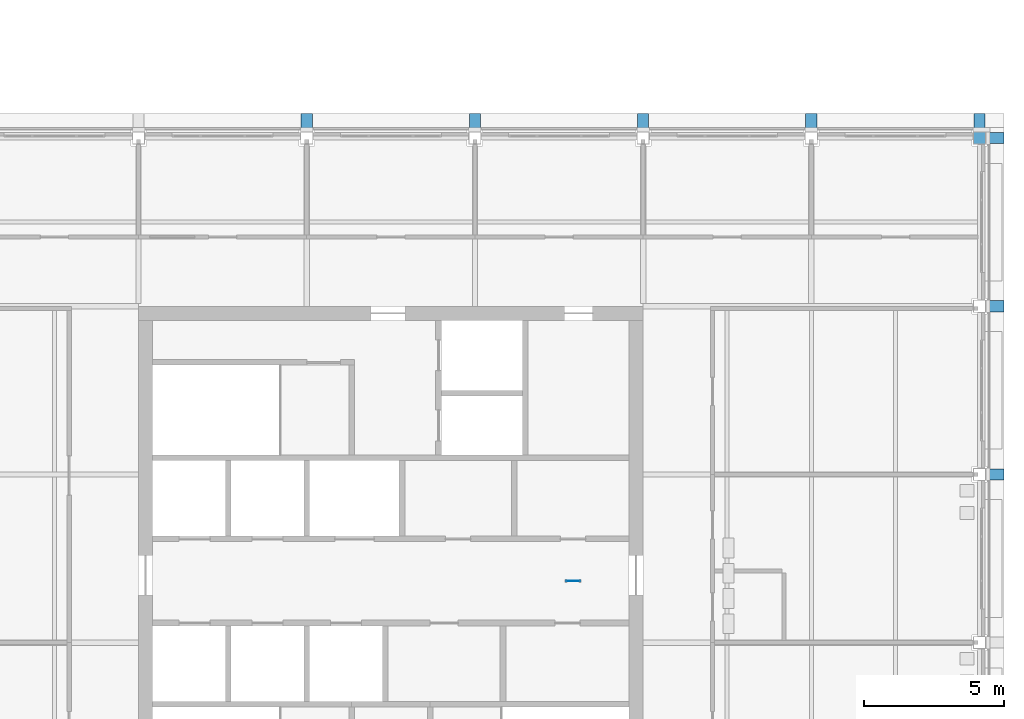
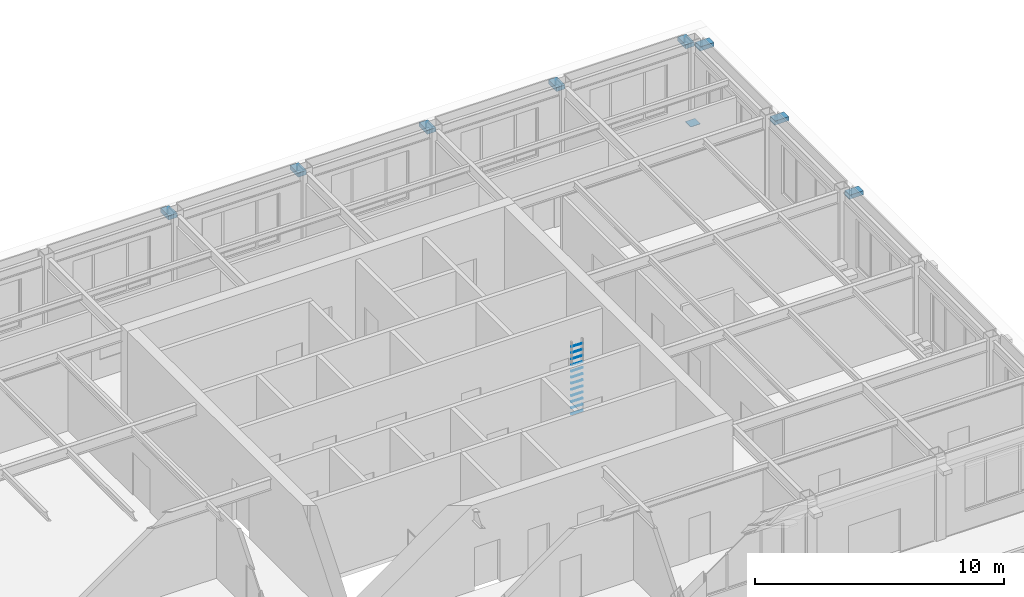
# One storey, part 77 of 82: 21 discrete accessories.
"""IFC4 building model written with IfcOpenShell, lengths in metres."""

import ifcopenshell
import ifcopenshell.guid

model = None  # the IFC model being written
_history = None  # IfcOwnerHistory: only IFC2X3 demands one
_inside = {}  # id of a spatial element -> (the spatial element, [elements in it])
_under = {}  # id of a project, library or spatial element -> (it, [spatial elements below it])
_declared = {}  # id of a project -> (the project, [libraries it declares])
_typed = {}  # id of a type object -> (the type object, [elements of that type])
_made_of = {}  # id of a material, layer set ... -> (it, [elements and type objects made of it])


def new_model(schema):
    """Start an empty IFC model of exactly this schema.

    Asked for "IFC4X3", IfcOpenShell would pick the latest addendum, in which some entities
    have other attributes; the version numbers below select the first issue.
    IFC2X3 requires an IfcOwnerHistory on every rooted entity: one is made here for all.
    """
    global model, _history
    if schema == "IFC4X3":
        model = ifcopenshell.file(schema_version=(4, 3, 0, 0))
    else:
        model = ifcopenshell.file(schema=schema)
    _inside.clear()
    _under.clear()
    _declared.clear()
    _typed.clear()
    _made_of.clear()
    _history = None
    if model.schema == "IFC2X3":
        org = make("IfcOrganization", Name="unknown")
        user = make(
            "IfcPersonAndOrganization",
            ThePerson=make("IfcPerson", FamilyName="unknown"),
            TheOrganization=org,
        )
        app = make(
            "IfcApplication",
            ApplicationDeveloper=org,
            Version="unknown",
            ApplicationFullName="unknown",
            ApplicationIdentifier="unknown",
        )
        _history = make(
            "IfcOwnerHistory",
            OwningUser=user,
            OwningApplication=app,
            ChangeAction="ADDED",
            CreationDate=0,
        )
    return model


def make(cls, **values):
    """One entity of the class cls with the attributes given. An attribute that is None is left unset."""
    return model.create_entity(
        cls, **{name: value for name, value in values.items() if value is not None}
    )


def rooted(cls, **values):
    """An entity with a GlobalId (a new one), such as an element, a storey or a relation."""
    return make(cls, GlobalId=ifcopenshell.guid.new(), OwnerHistory=_history, **values)


def si_unit(unit_type, name, prefix=None):
    """IfcSIUnit, for example si_unit("LENGTHUNIT", "METRE", prefix="MILLI")."""
    return make("IfcSIUnit", UnitType=unit_type, Prefix=prefix, Name=name)


def assignment(units):
    """IfcUnitAssignment: the units of a project."""
    return None if units is None else make("IfcUnitAssignment", Units=units)


def point(xyz):
    """IfcCartesianPoint."""
    return None if xyz is None else make("IfcCartesianPoint", Coordinates=xyz)


def direction(xyz):
    """IfcDirection."""
    return None if xyz is None else make("IfcDirection", DirectionRatios=xyz)


def frame(location, z_axis=None, x_axis=None):
    """IfcAxis2Placement3D, a coordinate frame: its origin and axes. An axis left out is left unset."""
    return make(
        "IfcAxis2Placement3D",
        Location=point(location),
        Axis=direction(z_axis),
        RefDirection=direction(x_axis),
    )


def origin():
    """The frame at (0, 0, 0) with its axes left unset."""
    return frame((0.0, 0.0, 0.0))


def place(relative_to, where):
    """IfcLocalPlacement: puts the frame where relative to a parent placement (None: the world)."""
    return make(
        "IfcLocalPlacement", PlacementRelTo=relative_to, RelativePlacement=where
    )


def context(
    kind, dimensions, precision=None, world=None, true_north=None, identifier=None
):
    """IfcGeometricRepresentationContext, for example the 3D "Model" context."""
    return make(
        "IfcGeometricRepresentationContext",
        ContextIdentifier=identifier,
        ContextType=kind,
        CoordinateSpaceDimension=dimensions,
        Precision=precision,
        WorldCoordinateSystem=world,
        TrueNorth=true_north,
    )


def subcontext(parent, identifier, kind, view, scale=None):
    """IfcGeometricRepresentationSubContext, for example "Body" below "Model"."""
    return make(
        "IfcGeometricRepresentationSubContext",
        ContextIdentifier=identifier,
        ContextType=kind,
        ParentContext=parent,
        TargetScale=scale,
        TargetView=view,
    )


def project(units=None, contexts=None):
    """IfcProject with its units and contexts."""
    return rooted(
        "IfcProject",
        Name="project",
        RepresentationContexts=contexts,
        UnitsInContext=assignment(units),
    )


def spatial(cls, under=None, at=None, **own):
    """A site, building, storey or space (cls), placed at a placement, below another one or the project."""
    s = rooted(cls, ObjectPlacement=at, **own)
    if under is not None:
        _under.setdefault(under.id(), (under, []))[1].append(s)
    return s


def polyline(points):
    """IfcPolyline through the points."""
    return make("IfcPolyline", Points=[point(p) for p in points])


def outline(outer, holes=None, kind="AREA"):
    """IfcArbitraryClosedProfileDef: a profile drawn as a closed curve; with holes, ...WithVoids."""
    if holes is None:
        return make("IfcArbitraryClosedProfileDef", ProfileType=kind, OuterCurve=outer)
    return make(
        "IfcArbitraryProfileDefWithVoids",
        ProfileType=kind,
        OuterCurve=outer,
        InnerCurves=holes,
    )


def extrude(swept, where, along, depth):
    """IfcExtrudedAreaSolid: the profile swept, set in the frame where, extruded along a direction by depth."""
    return make(
        "IfcExtrudedAreaSolid",
        SweptArea=swept,
        Position=where,
        ExtrudedDirection=direction(along),
        Depth=depth,
    )


def shape(context_of_items, identifier, shape_type, items):
    """IfcShapeRepresentation: the items that make up one representation, for example the "Body"."""
    return make(
        "IfcShapeRepresentation",
        ContextOfItems=context_of_items,
        RepresentationIdentifier=identifier,
        RepresentationType=shape_type,
        Items=items,
    )


def material(Name=None, Category=None):
    """IfcMaterial."""
    return make("IfcMaterial", Name=Name, Category=Category)


def layer(
    of_material, thickness, ventilated=None, Name=None, Category=None, Priority=None
):
    """IfcMaterialLayer: one layer of a wall or slab, of a material (None: an air gap)."""
    return make(
        "IfcMaterialLayer",
        Material=of_material,
        LayerThickness=thickness,
        IsVentilated=ventilated,
        Name=Name,
        Category=Category,
        Priority=Priority,
    )


def layer_set(layers, Name=None):
    """IfcMaterialLayerSet."""
    return make("IfcMaterialLayerSet", MaterialLayers=layers, LayerSetName=Name)


def made_of(thing, what):
    """Note that an element or type object is made of a material, layer set ...; save() writes the relation."""
    if what is not None:
        _made_of.setdefault(what.id(), (what, []))[1].append(thing)
    return thing


def type_object(cls, material=None, **own):
    """A type object (cls), such as IfcWallType, which elements share."""
    return made_of(rooted(cls, **own), material)


def element(
    cls,
    number,
    at=None,
    inside=None,
    cuts=None,
    type_object=None,
    material=None,
    context=None,
    identifier="Body",
    shape_type=None,
    held_by="IfcProductDefinitionShape",
    body=None,
    shapes=None,
    **own,
):
    """One element of the class cls, such as IfcWall. Its Tag is "e" and its number.

    at: its placement. inside: the storey or other place that contains it. cuts: it is an
    opening in that element (IfcRelVoidsElement). A single representation is given by context,
    identifier, shape_type and body (its items); several are given by shapes. held_by: the class
    of the entity that holds the representations. save() writes the other relations.
    """
    e = rooted(cls, Tag="e%d" % number, ObjectPlacement=at, **own)
    if body is not None:
        shapes = [shape(context, identifier, shape_type, body)]
    if shapes is not None:
        e.Representation = make(held_by, Representations=shapes)
    if inside is not None:
        _inside.setdefault(inside.id(), (inside, []))[1].append(e)
    if cuts is not None:
        rooted(
            "IfcRelVoidsElement", RelatingBuildingElement=cuts, RelatedOpeningElement=e
        )
    if type_object is not None:
        _typed.setdefault(type_object.id(), (type_object, []))[1].append(e)
    return made_of(e, material)


def aggregate(whole, parts):
    """IfcRelAggregates: a whole, such as a stair, and the parts it consists of."""
    return rooted("IfcRelAggregates", RelatingObject=whole, RelatedObjects=parts)


def save(model, path):
    """Write the relations noted so far, then the file.

    IfcRelAggregates (storeys below a building ...), IfcRelContainedInSpatialStructure (elements
    in a storey), IfcRelDefinesByType, IfcRelAssociatesMaterial and IfcRelDeclares: one each for
    every whole, place, type object, material and project.
    """
    for whole, parts in _under.values():
        aggregate(whole, parts)
    for where, things in _inside.values():
        rooted(
            "IfcRelContainedInSpatialStructure",
            RelatedElements=things,
            RelatingStructure=where,
        )
    for kind, things in _typed.values():
        rooted("IfcRelDefinesByType", RelatedObjects=things, RelatingType=kind)
    for what, things in _made_of.values():
        rooted("IfcRelAssociatesMaterial", RelatedObjects=things, RelatingMaterial=what)
    for by, libraries in _declared.values():
        rooted("IfcRelDeclares", RelatingContext=by, RelatedDefinitions=libraries)
    model.write(path)


model = new_model("IFC4")

# Units and contexts
model_context = context("Model", 3, precision=1e-05, world=origin(), true_north=direction((0.0, 1.0)))
body_context = subcontext(model_context, "Body", "Model", "MODEL_VIEW")
ifc_project = project(units=[si_unit("LENGTHUNIT", "METRE"), si_unit("AREAUNIT", "SQUARE_METRE"), si_unit("VOLUMEUNIT", "CUBIC_METRE"), si_unit("PLANEANGLEUNIT", "RADIAN"), si_unit("MASSUNIT", "GRAM", prefix="KILO")], contexts=[model_context])

# Site, building, storey
site_placement = place(None, origin())
site = spatial("IfcSite", under=ifc_project, at=site_placement, CompositionType="ELEMENT")
building_placement = place(site_placement, origin())
building = spatial("IfcBuilding", under=site, at=building_placement, Name="Aravalli Gate Trade Fair Centre", CompositionType="ELEMENT")
storey_placement = place(building_placement, frame((0.0, 0.0, 19.199951171875)))
storey = spatial("IfcBuildingStorey", under=building, at=storey_placement, Name="L04", CompositionType="ELEMENT", Elevation=19.199951171875)

# Discrete accessories
ifc_material = material(Name="Steel E350", Category="steel")
ifc_layer = layer(ifc_material, 0.011962890625)
ifc_layer_set = layer_set([ifc_layer], Name="Steel E350")
discrete_accessory_type_1 = type_object("IfcDiscreteAccessoryType", Name="End plate 450x450 x 12", PredefinedType="USERDEFINED", material=ifc_layer_set)
discrete_accessory_1_placement = place(storey_placement, frame((201.77490234375, 126.77490234375, 0.0), z_axis=(0.0, 0.0, 1.0), x_axis=(1.0, 0.0, 0.0)))
element("IfcDiscreteAccessory", 1, at=discrete_accessory_1_placement, inside=storey, type_object=discrete_accessory_type_1, Name="End plate Wing column 25/T4 L04 end A", ObjectType="END CAP", PredefinedType="USERDEFINED", context=body_context, shape_type="SweptSolid", body=[
    extrude(outline(polyline([(0.0, 0.0), (0.4501953125, 0.0), (0.4501953125, 0.4501953125), (0.0, 0.4501953125), (0.0, 0.0)])), origin(), (0.0, 0.0, -1.0), 0.011962890625),
])
discrete_accessory_type_2 = type_object("IfcDiscreteAccessoryType", Name="Wing cornice bracket", PredefinedType="BRACKET", material=ifc_material)
discrete_accessory_2_placement = place(storey_placement, frame((0.0, 0.0, 3.550048828125)))
element("IfcDiscreteAccessory", 2, at=discrete_accessory_2_placement, inside=storey, type_object=discrete_accessory_type_2, Name="Cornice bracket 25T3 E", PredefinedType="BRACKET", context=body_context, shape_type="SweptSolid", body=[
    extrude(outline(polyline([(202.22509765625, 114.800048828125), (202.875, 114.800048828125), (202.875, 115.199951171875), (202.22509765625, 115.199951171875), (202.22509765625, 114.800048828125)])), origin(), (0.0, 0.0, 1.0), 0.199951171875),
])
discrete_accessory_3_placement = place(storey_placement, frame((0.0, 0.0, 3.550048828125)))
element("IfcDiscreteAccessory", 3, at=discrete_accessory_3_placement, inside=storey, type_object=discrete_accessory_type_2, Name="Cornice bracket 25J E", PredefinedType="BRACKET", context=body_context, shape_type="SweptSolid", body=[
    extrude(outline(polyline([(202.22509765625, 120.800048828125), (202.875, 120.800048828125), (202.875, 121.199951171875), (202.22509765625, 121.199951171875), (202.22509765625, 120.800048828125)])), origin(), (0.0, 0.0, 1.0), 0.199951171875),
])
discrete_accessory_4_placement = place(storey_placement, frame((0.0, 0.0, 3.550048828125)))
element("IfcDiscreteAccessory", 4, at=discrete_accessory_4_placement, inside=storey, type_object=discrete_accessory_type_2, Name="Cornice bracket 25T4 N", PredefinedType="BRACKET", context=body_context, shape_type="SweptSolid", body=[
    extrude(outline(polyline([(201.800048828125, 127.22509765625), (202.199951171875, 127.22509765625), (202.199951171875, 127.875), (201.800048828125, 127.875), (201.800048828125, 127.22509765625)])), origin(), (0.0, 0.0, 1.0), 0.199951171875),
])
discrete_accessory_5_placement = place(storey_placement, frame((0.0, 0.0, 3.550048828125)))
element("IfcDiscreteAccessory", 5, at=discrete_accessory_5_placement, inside=storey, type_object=discrete_accessory_type_2, Name="Cornice bracket 25T4 E", PredefinedType="BRACKET", context=body_context, shape_type="SweptSolid", body=[
    extrude(outline(polyline([(202.22509765625, 126.800048828125), (202.875, 126.800048828125), (202.875, 127.199951171875), (202.22509765625, 127.199951171875), (202.22509765625, 126.800048828125)])), origin(), (0.0, 0.0, 1.0), 0.199951171875),
])
discrete_accessory_6_placement = place(storey_placement, frame((0.0, 0.0, 3.550048828125)))
element("IfcDiscreteAccessory", 6, at=discrete_accessory_6_placement, inside=storey, type_object=discrete_accessory_type_2, Name="Cornice bracket 21T4 N", PredefinedType="BRACKET", context=body_context, shape_type="SweptSolid", body=[
    extrude(outline(polyline([(177.800048828125, 127.22509765625), (178.199951171875, 127.22509765625), (178.199951171875, 127.875), (177.800048828125, 127.875), (177.800048828125, 127.22509765625)])), origin(), (0.0, 0.0, 1.0), 0.199951171875),
])
discrete_accessory_7_placement = place(storey_placement, frame((0.0, 0.0, 3.550048828125)))
element("IfcDiscreteAccessory", 7, at=discrete_accessory_7_placement, inside=storey, type_object=discrete_accessory_type_2, Name="Cornice bracket 22T4 N", PredefinedType="BRACKET", context=body_context, shape_type="SweptSolid", body=[
    extrude(outline(polyline([(183.800048828125, 127.22509765625), (184.199951171875, 127.22509765625), (184.199951171875, 127.875), (183.800048828125, 127.875), (183.800048828125, 127.22509765625)])), origin(), (0.0, 0.0, 1.0), 0.199951171875),
])
discrete_accessory_8_placement = place(storey_placement, frame((0.0, 0.0, 3.550048828125)))
element("IfcDiscreteAccessory", 8, at=discrete_accessory_8_placement, inside=storey, type_object=discrete_accessory_type_2, Name="Cornice bracket 23T4 N", PredefinedType="BRACKET", context=body_context, shape_type="SweptSolid", body=[
    extrude(outline(polyline([(189.800048828125, 127.22509765625), (190.199951171875, 127.22509765625), (190.199951171875, 127.875), (189.800048828125, 127.875), (189.800048828125, 127.22509765625)])), origin(), (0.0, 0.0, 1.0), 0.199951171875),
])
discrete_accessory_9_placement = place(storey_placement, frame((0.0, 0.0, 3.550048828125)))
element("IfcDiscreteAccessory", 9, at=discrete_accessory_9_placement, inside=storey, type_object=discrete_accessory_type_2, Name="Cornice bracket 24T4 N", PredefinedType="BRACKET", context=body_context, shape_type="SweptSolid", body=[
    extrude(outline(polyline([(195.800048828125, 127.22509765625), (196.199951171875, 127.22509765625), (196.199951171875, 127.875), (195.800048828125, 127.875), (195.800048828125, 127.22509765625)])), origin(), (0.0, 0.0, 1.0), 0.199951171875),
])
discrete_accessory_type_3 = type_object("IfcDiscreteAccessoryType", Name="Wing roof ladder part", PredefinedType="USERDEFINED", material=ifc_material)
discrete_accessory_10_placement = place(storey_placement, frame((0.0, 0.0, 0.4375)))
element("IfcDiscreteAccessory", 10, at=discrete_accessory_10_placement, inside=storey, type_object=discrete_accessory_type_3, Name="Roof ladder rung 1", ObjectType="LADDER", PredefinedType="USERDEFINED", context=body_context, shape_type="SweptSolid", body=[
    extrude(outline(polyline([(187.25, 111.1875), (187.75, 111.1875), (187.75, 111.21240234375), (187.25, 111.21240234375), (187.25, 111.1875)])), origin(), (0.0, 0.0, 1.0), 0.025146484375),
])
for number, where, name in (
    (11, (0.0, 0.0, 0.737548828125), "Roof ladder rung 2"),
    (12, (0.0, 0.0, 1.03759765625), "Roof ladder rung 3"),
    (13, (0.0, 0.0, 1.337646484375), "Roof ladder rung 4"),
):
    element("IfcDiscreteAccessory", number, at=place(storey_placement, frame(where)), inside=storey, type_object=discrete_accessory_type_3, Name=name, ObjectType="LADDER", PredefinedType="USERDEFINED", context=body_context, shape_type="SweptSolid", body=[
        extrude(outline(polyline([(187.25, 111.1875), (187.75, 111.1875), (187.75, 111.21240234375), (187.25, 111.21240234375), (187.25, 111.1875)])), origin(), (0.0, 0.0, 1.0), 0.02490234375),
    ])
for number, where, name in (
    (14, (0.0, 0.0, 1.637451171875), "Roof ladder rung 5"),
    (15, (0.0, 0.0, 1.9375), "Roof ladder rung 6"),
):
    element("IfcDiscreteAccessory", number, at=place(storey_placement, frame(where)), inside=storey, type_object=discrete_accessory_type_3, Name=name, ObjectType="LADDER", PredefinedType="USERDEFINED", context=body_context, shape_type="SweptSolid", body=[
        extrude(outline(polyline([(187.25, 111.1875), (187.75, 111.1875), (187.75, 111.21240234375), (187.25, 111.21240234375), (187.25, 111.1875)])), origin(), (0.0, 0.0, 1.0), 0.025146484375),
    ])
for number, where, name in (
    (16, (0.0, 0.0, 2.237548828125), "Roof ladder rung 7"),
    (17, (0.0, 0.0, 2.53759765625), "Roof ladder rung 8"),
    (18, (0.0, 0.0, 2.837646484375), "Roof ladder rung 9"),
):
    element("IfcDiscreteAccessory", number, at=place(storey_placement, frame(where)), inside=storey, type_object=discrete_accessory_type_3, Name=name, ObjectType="LADDER", PredefinedType="USERDEFINED", context=body_context, shape_type="SweptSolid", body=[
        extrude(outline(polyline([(187.25, 111.1875), (187.75, 111.1875), (187.75, 111.21240234375), (187.25, 111.21240234375), (187.25, 111.1875)])), origin(), (0.0, 0.0, 1.0), 0.02490234375),
    ])
for number, where, name in (
    (19, (0.0, 0.0, 3.137451171875), "Roof ladder rung 10"),
    (20, (0.0, 0.0, 3.4375), "Roof ladder rung 11"),
):
    element("IfcDiscreteAccessory", number, at=place(storey_placement, frame(where)), inside=storey, type_object=discrete_accessory_type_3, Name=name, ObjectType="LADDER", PredefinedType="USERDEFINED", context=body_context, shape_type="SweptSolid", body=[
        extrude(outline(polyline([(187.25, 111.1875), (187.75, 111.1875), (187.75, 111.21240234375), (187.25, 111.21240234375), (187.25, 111.1875)])), origin(), (0.0, 0.0, 1.0), 0.025146484375),
    ])
discrete_accessory_11_placement = place(storey_placement, frame((0.0, 0.0, 3.737548828125)))
element("IfcDiscreteAccessory", 21, at=discrete_accessory_11_placement, inside=storey, type_object=discrete_accessory_type_3, Name="Roof ladder rung 12", ObjectType="LADDER", PredefinedType="USERDEFINED", context=body_context, shape_type="SweptSolid", body=[
    extrude(outline(polyline([(187.25, 111.1875), (187.75, 111.1875), (187.75, 111.21240234375), (187.25, 111.21240234375), (187.25, 111.1875)])), origin(), (0.0, 0.0, 1.0), 0.02490234375),
])

save(model, "model.ifc")
